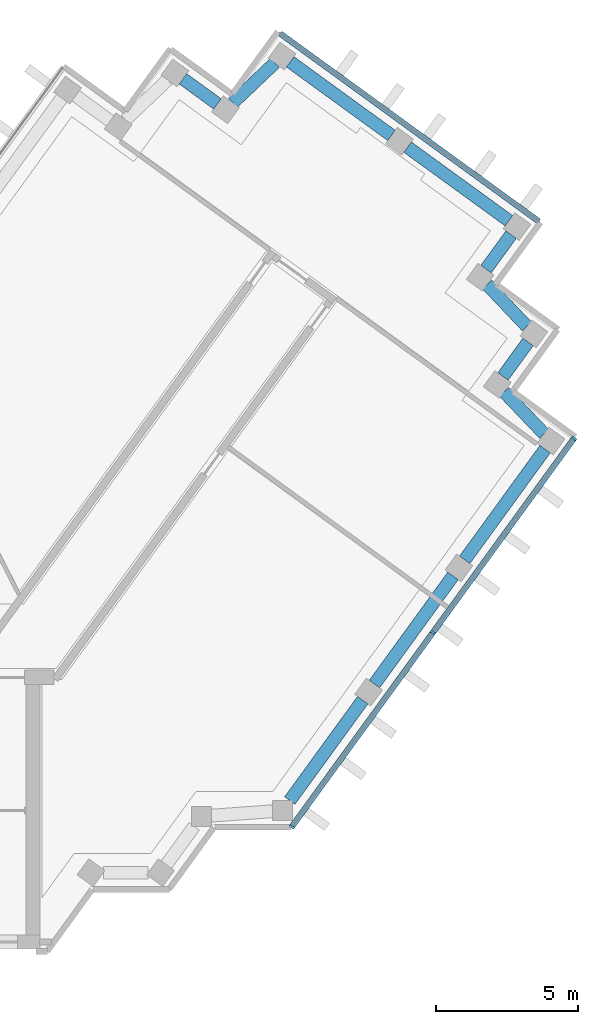
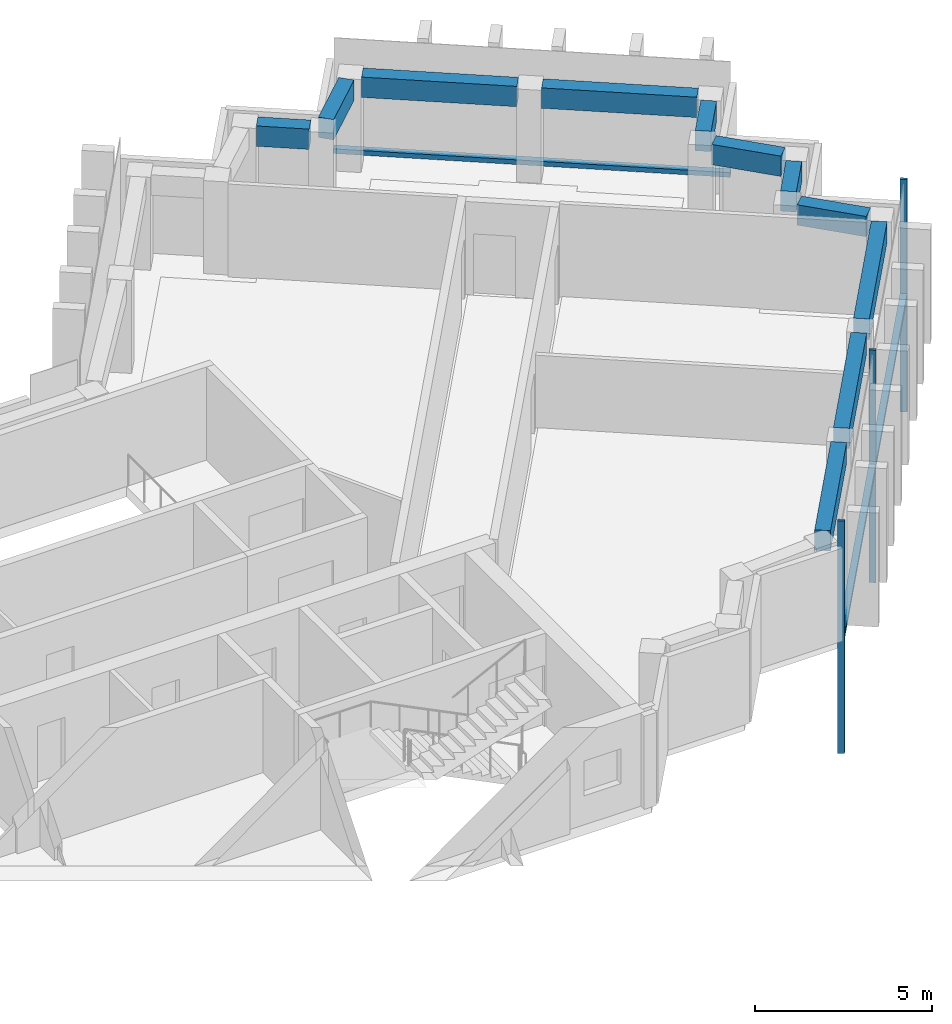
"""IFC4 building model written with IfcOpenShell, lengths in metres."""

from ifc_helpers import new_model, si_unit, direction, frame, origin, origin_2d, place, context, subcontext, project, spatial, rectangle, extrude, material, material_profile, profile_set, type_object, element, aggregate, save


model = new_model("IFC4")

# Units and contexts
model_context = context("Model", 3, precision=1e-05, world=origin(), true_north=direction((0.0, 1.0)))
body_context = subcontext(model_context, "Body", "Model", "MODEL_VIEW")
ifc_project = project(units=[si_unit("LENGTHUNIT", "METRE"), si_unit("AREAUNIT", "SQUARE_METRE"), si_unit("VOLUMEUNIT", "CUBIC_METRE"), si_unit("PLANEANGLEUNIT", "RADIAN"), si_unit("MASSUNIT", "GRAM", prefix="KILO")], contexts=[model_context])

# Site, building, storey
site_placement = place(None, origin())
site = spatial("IfcSite", under=ifc_project, at=site_placement, CompositionType="ELEMENT")
building_placement = place(site_placement, origin())
building = spatial("IfcBuilding", under=site, at=building_placement, Name="Quipu Civic Tower", CompositionType="ELEMENT")
storey_1_placement = place(building_placement, frame((0.0, 0.0, 351.0)))
storey_1 = spatial("IfcBuildingStorey", under=building, at=storey_1_placement, Name="L82", CompositionType="ELEMENT", Elevation=351.0)

# Curtain wall, members
ifc_material_1 = material(Name="Insulated glass unit", Category="glass")
curtain_wall_type = type_object("IfcCurtainWallType", Name="Office curtain wall CW1", PredefinedType="NOTDEFINED", material=ifc_material_1)
curtain_wall_1_placement = place(storey_1_placement, origin())
curtain_wall_1 = element("IfcCurtainWall", 1, at=curtain_wall_1_placement, inside=storey_1, type_object=curtain_wall_type, Name="Office curtain wall CW1 L81 run 4", PredefinedType="NOTDEFINED")
ifc_material_2 = material(Name="Anodised aluminium", Category="aluminium")
ifc_material_profile_1 = material_profile(ifc_material_2, rectangle(XDim=0.199951171875, YDim=0.080078125, at=origin_2d()), Name="RECT 200x80")
ifc_profile_set_1 = profile_set([ifc_material_profile_1], Name="Anodised aluminium")
member_type_1 = type_object("IfcMemberType", Name="Mullion CW1", PredefinedType="MULLION", material=ifc_profile_set_1)
member_1_placement = place(storey_1_placement, frame((28.853271484375, -6.698974609375, -3.919921875), z_axis=(0.0, 0.0, 1.0), x_axis=(-0.809016278475, 0.587786237643, 0.0)))
member_1 = element("IfcMember", 2, at=member_1_placement, type_object=member_type_1, Name="CW1 mullion 1", PredefinedType="MULLION", context=body_context, shape_type="SweptSolid", body=[
    extrude(rectangle(XDim=0.199951171875, YDim=0.080078125, at=origin_2d()), origin(), (0.0, 0.0, 1.0), 8.0),
])
member_2_placement = place(storey_1_placement, frame((33.81298828125, 0.12744140625, -3.919921875), z_axis=(0.0, 0.0, 1.0), x_axis=(-0.809016278475, 0.587786237643, 0.0)))
member_2 = element("IfcMember", 3, at=member_2_placement, type_object=member_type_1, Name="CW1 mullion 2", PredefinedType="MULLION", context=body_context, shape_type="SweptSolid", body=[
    extrude(rectangle(XDim=0.199951171875, YDim=0.080078125, at=origin_2d()), origin(), (0.0, 0.0, 1.0), 8.0),
])
member_3_placement = place(storey_1_placement, frame((38.772705078125, 6.953857421875, -3.919921875), z_axis=(0.0, 0.0, 1.0), x_axis=(-0.809016278475, 0.587786237643, 0.0)))
member_3 = element("IfcMember", 4, at=member_3_placement, type_object=member_type_1, Name="CW1 mullion 3", PredefinedType="MULLION", context=body_context, shape_type="SweptSolid", body=[
    extrude(rectangle(XDim=0.199951171875, YDim=0.080078125, at=origin_2d()), origin(), (0.0, 0.0, 1.0), 8.0),
])

# Beams
ifc_material_3 = material(Name="Concrete C50/60", Category="concrete")
ifc_material_profile_2 = material_profile(ifc_material_3, rectangle(XDim=0.449951171875, YDim=0.699951171875, at=origin_2d()), Name="RC450x700")
ifc_profile_set_2 = profile_set([ifc_material_profile_2], Name="Concrete C50/60")
beam_type = type_object("IfcBeamType", Name="Spandrel beam RC 450x700 C50/60", PredefinedType="SPANDREL", material=ifc_profile_set_2)
beam_1_placement = place(storey_1_placement, frame((28.779296875, -5.780029296875, 2.85009765625), z_axis=(0.58777550284, 0.809024077677, 0.0), x_axis=(-0.809024077677, 0.58777550284, 0.0)))
element("IfcBeam", 5, at=beam_1_placement, inside=storey_1, type_object=beam_type, Name="Spandrel beam L82 J-Eo.4 to E-OUT-01", PredefinedType="SPANDREL", context=body_context, shape_type="SweptSolid", body=[
    extrude(rectangle(XDim=0.449951171875, YDim=0.699951171875, at=origin_2d()), origin(), (0.0, 0.0, 1.0), 4.36083984375),
])
beam_2_placement = place(storey_1_placement, frame((31.75390625, -1.685546875, 2.85009765625), z_axis=(0.587788656305, 0.809014521204, 0.0), x_axis=(-0.809014521204, 0.587788656305, 0.0)))
element("IfcBeam", 6, at=beam_2_placement, inside=storey_1, type_object=beam_type, Name="Spandrel beam L82 E-OUT-01 to E-OUT-02", PredefinedType="SPANDREL", context=body_context, shape_type="SweptSolid", body=[
    extrude(rectangle(XDim=0.449951171875, YDim=0.699951171875, at=origin_2d()), origin(), (0.0, 0.0, 1.0), 4.7001953125),
])
beam_3_placement = place(storey_1_placement, frame((34.927978515625, 2.68310546875, 2.85009765625), z_axis=(0.587905928359, 0.808929304328, 0.0), x_axis=(-0.808929304328, 0.587905928359, 0.0)))
element("IfcBeam", 7, at=beam_3_placement, inside=storey_1, type_object=beam_type, Name="Spandrel beam L82 E-OUT-02 to T-Eo.0-E22", PredefinedType="SPANDREL", context=body_context, shape_type="SweptSolid", body=[
    extrude(rectangle(XDim=0.449951171875, YDim=0.699951171875, at=origin_2d()), origin(), (0.0, 0.0, 1.0), 4.80712890625),
])
beam_4_placement = place(storey_1_placement, frame((37.71484375, 7.11279296875, 2.85009765625), z_axis=(-0.689175330605, 0.724594620244, 0.0), x_axis=(-0.724594620244, -0.689175330605, 0.0)))
element("IfcBeam", 8, at=beam_4_placement, inside=storey_1, type_object=beam_type, Name="Spandrel beam L82 T-Eo.0-E22 to T-Eo.1-E22", PredefinedType="SPANDREL", context=body_context, shape_type="SweptSolid", body=[
    extrude(rectangle(XDim=0.449951171875, YDim=0.699951171875, at=origin_2d()), origin(), (0.0, 0.0, 1.0), 2.033447265625),
])
beam_5_placement = place(storey_1_placement, frame((36.273681640625, 9.12744140625, 2.85009765625), z_axis=(0.587164895097, 0.809467347066, 0.0), x_axis=(-0.809467347066, 0.587164895097, 0.0)))
element("IfcBeam", 9, at=beam_5_placement, inside=storey_1, type_object=beam_type, Name="Spandrel beam L82 T-Eo.1-E22 to T-Eo.2-E22", PredefinedType="SPANDREL", context=body_context, shape_type="SweptSolid", body=[
    extrude(rectangle(XDim=0.449951171875, YDim=0.699951171875, at=origin_2d()), origin(), (0.0, 0.0, 1.0), 1.500244140625),
])
beam_6_placement = place(storey_1_placement, frame((37.114990234375, 10.88330078125, 2.85009765625), z_axis=(-0.688247466856, 0.725475998477, 0.0), x_axis=(-0.725475998477, -0.688247466856, 0.0)))
element("IfcBeam", 10, at=beam_6_placement, inside=storey_1, type_object=beam_type, Name="Spandrel beam L82 T-Eo.2-E22 to T-Eo.3-E22", PredefinedType="SPANDREL", context=body_context, shape_type="SweptSolid", body=[
    extrude(rectangle(XDim=0.449951171875, YDim=0.699951171875, at=origin_2d()), origin(), (0.0, 0.0, 1.0), 2.032958984375),
])
beam_7_placement = place(storey_1_placement, frame((35.6767578125, 12.8994140625, 2.85009765625), z_axis=(0.588345920092, 0.808609348394, 0.0), x_axis=(-0.808609348394, 0.588345920092, 0.0)))
element("IfcBeam", 11, at=beam_7_placement, inside=storey_1, type_object=beam_type, Name="Spandrel beam L82 T-Eo.3-E22 to T-Eo.4-E22", PredefinedType="SPANDREL", context=body_context, shape_type="SweptSolid", body=[
    extrude(rectangle(XDim=0.449951171875, YDim=0.699951171875, at=origin_2d()), origin(), (0.0, 0.0, 1.0), 1.499755859375),
])
beam_8_placement = place(storey_1_placement, frame((36.481689453125, 14.6005859375, 2.85009765625), z_axis=(-0.809117270763, 0.587647208921, 0.0), x_axis=(-0.587647208921, -0.809117270763, 0.0)))
element("IfcBeam", 12, at=beam_8_placement, inside=storey_1, type_object=beam_type, Name="Spandrel beam L82 T-Eo.4-E22 to TIP-E-01-E22", PredefinedType="SPANDREL", context=body_context, shape_type="SweptSolid", body=[
    extrude(rectangle(XDim=0.449951171875, YDim=0.699951171875, at=origin_2d()), origin(), (0.0, 0.0, 1.0), 4.40185546875),
])
beam_9_placement = place(storey_1_placement, frame((32.353759765625, 17.5986328125, 2.85009765625), z_axis=(-0.809146152767, 0.587607439931, 0.0), x_axis=(-0.587607439931, -0.809146152767, 0.0)))
element("IfcBeam", 13, at=beam_9_placement, inside=storey_1, type_object=beam_type, Name="Spandrel beam L82 TIP-E-01-E22 to T-Ei.0-E22", PredefinedType="SPANDREL", context=body_context, shape_type="SweptSolid", body=[
    extrude(rectangle(XDim=0.449951171875, YDim=0.699951171875, at=origin_2d()), origin(), (0.0, 0.0, 1.0), 4.400390625),
])
beam_10_placement = place(storey_1_placement, frame((28.251708984375, 20.14501953125, 2.85009765625), z_axis=(-0.725359138958, -0.688370626574, 0.0), x_axis=(0.688370626574, -0.725359138958, 0.0)))
element("IfcBeam", 14, at=beam_10_placement, inside=storey_1, type_object=beam_type, Name="Spandrel beam L82 T-Ei.0-E22 to T-Ei.1-E22", PredefinedType="SPANDREL", context=body_context, shape_type="SweptSolid", body=[
    extrude(rectangle(XDim=0.449951171875, YDim=0.699951171875, at=origin_2d()), origin(), (0.0, 0.0, 1.0), 2.032958984375),
])
beam_11_placement = place(storey_1_placement, frame((26.236083984375, 18.70654296875, 2.85009765625), z_axis=(-0.808644589435, 0.588297482553, 0.0), x_axis=(-0.588297482553, -0.808644589435, 0.0)))
element("IfcBeam", 15, at=beam_11_placement, inside=storey_1, type_object=beam_type, Name="Spandrel beam L82 T-Ei.1-E22 to T-Ei.2-E22", PredefinedType="SPANDREL", context=body_context, shape_type="SweptSolid", body=[
    extrude(rectangle(XDim=0.449951171875, YDim=0.699951171875, at=origin_2d()), origin(), (0.0, 0.0, 1.0), 1.500244140625),
])

# Storey
storey_2_placement = place(building_placement, frame((0.0, 0.0, 347.0)))
storey_2 = spatial("IfcBuildingStorey", under=building, at=storey_2_placement, Name="L81", CompositionType="ELEMENT", Elevation=347.0)

# Curtain wall, member
curtain_wall_2_placement = place(storey_2_placement, origin())
curtain_wall_2 = element("IfcCurtainWall", 16, at=curtain_wall_2_placement, inside=storey_2, type_object=curtain_wall_type, Name="Office curtain wall CW1 L80 run 21", PredefinedType="NOTDEFINED")
ifc_material_4 = material(Name="Anodised aluminium", Category="aluminium")
ifc_material_profile_3 = material_profile(ifc_material_4, rectangle(XDim=0.199951171875, YDim=0.159912109375, at=origin_2d()), Name="RECT 200x160")
ifc_profile_set_3 = profile_set([ifc_material_profile_3], Name="Anodised aluminium")
member_type_2 = type_object("IfcMemberType", Name="Transom CW1", PredefinedType="USERDEFINED", material=ifc_profile_set_3)
member_4_placement = place(storey_1_placement, frame((37.536865234375, 14.575927734375, 0.080078125), z_axis=(-0.809022463805, 0.587777724194, 0.0), x_axis=(-0.587777724194, -0.809022463805, 0.0)))
member_4 = element("IfcMember", 17, at=member_4_placement, inside=storey_1, type_object=member_type_2, Name="CW1 transom 1.3", ObjectType="TRANSOM", PredefinedType="USERDEFINED", context=body_context, shape_type="SweptSolid", body=[
    extrude(rectangle(XDim=0.199951171875, YDim=0.159912109375, at=origin_2d()), origin(), (0.0, 0.0, 1.0), 11.240234375),
])
aggregate(curtain_wall_2, [member_4])

# Member
member_5_placement = place(storey_1_placement, frame((28.876708984375, -6.66650390625, 0.080078125), z_axis=(0.587812107925, 0.808997481935, 0.0), x_axis=(-0.808997481935, 0.587812107925, 0.0)))
member_5 = element("IfcMember", 18, at=member_5_placement, type_object=member_type_2, Name="CW1 transom 1.2", ObjectType="TRANSOM", PredefinedType="USERDEFINED", context=body_context, shape_type="SweptSolid", body=[
    extrude(rectangle(XDim=0.199951171875, YDim=0.159912109375, at=origin_2d()), origin(), (0.0, 0.0, 1.0), 8.35791015625),
])

member_6_placement = place(storey_1_placement, frame((33.83642578125, 0.15966796875, 0.080078125), z_axis=(0.587779098815, 0.809021465102, 0.0), x_axis=(-0.809021465102, 0.587779098815, 0.0)))
member_6 = element("IfcMember", 19, at=member_6_placement, type_object=member_type_2, Name="CW1 transom 2.2", ObjectType="TRANSOM", PredefinedType="USERDEFINED", context=body_context, shape_type="SweptSolid", body=[
    extrude(rectangle(XDim=0.199951171875, YDim=0.159912109375, at=origin_2d()), origin(), (0.0, 0.0, 1.0), 8.35791015625),
])

aggregate(curtain_wall_1, [member_1, member_2, member_3, member_5, member_6])

save(model, "model.ifc")
